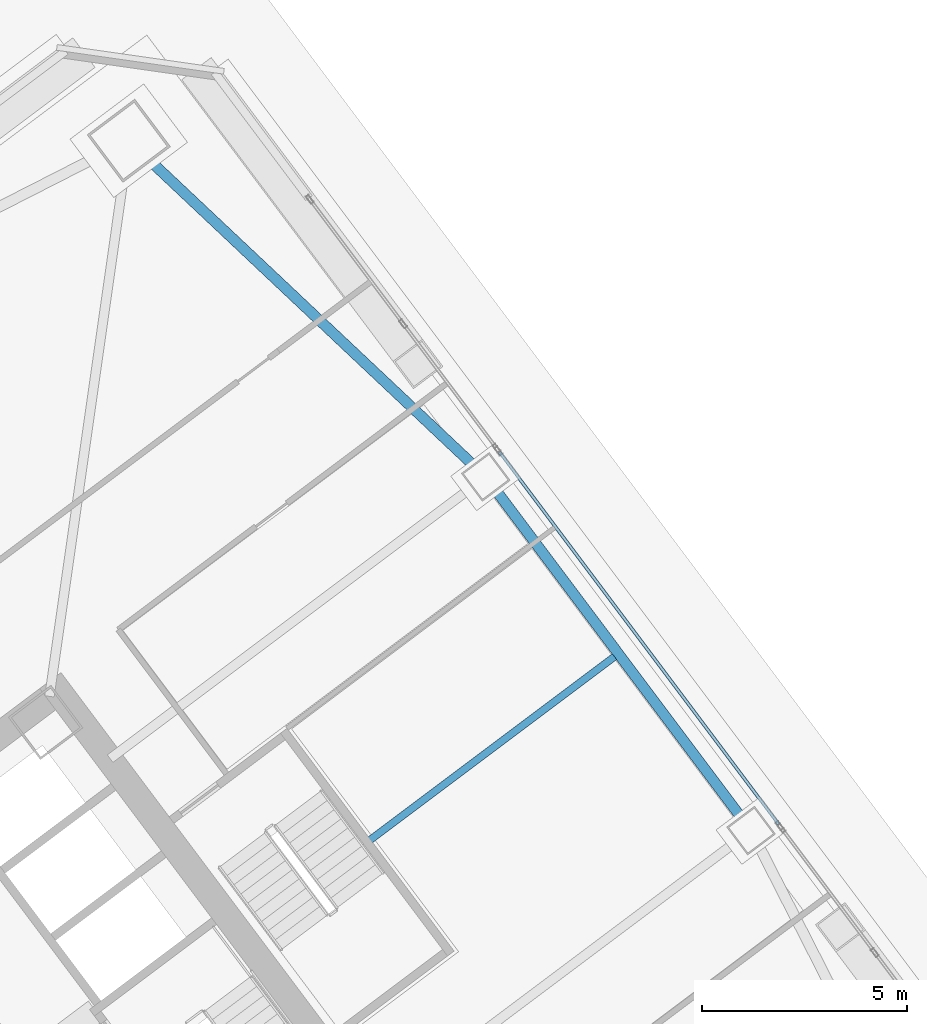
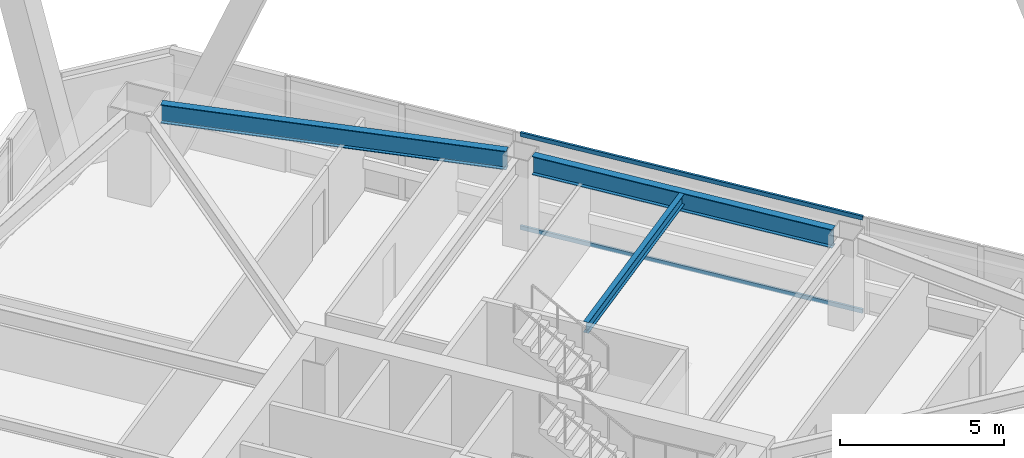
# One storey, part 52 of 67: 3 beams, 2 members, 1 element without a shape of its own.
"""IFC4 building model written with IfcOpenShell, lengths in metres."""

import ifcopenshell
import ifcopenshell.guid

model = None  # the IFC model being written
_history = None  # IfcOwnerHistory: only IFC2X3 demands one
_inside = {}  # id of a spatial element -> (the spatial element, [elements in it])
_under = {}  # id of a project, library or spatial element -> (it, [spatial elements below it])
_declared = {}  # id of a project -> (the project, [libraries it declares])
_typed = {}  # id of a type object -> (the type object, [elements of that type])
_made_of = {}  # id of a material, layer set ... -> (it, [elements and type objects made of it])


def new_model(schema):
    """Start an empty IFC model of exactly this schema.

    Asked for "IFC4X3", IfcOpenShell would pick the latest addendum, in which some entities
    have other attributes; the version numbers below select the first issue.
    IFC2X3 requires an IfcOwnerHistory on every rooted entity: one is made here for all.
    """
    global model, _history
    if schema == "IFC4X3":
        model = ifcopenshell.file(schema_version=(4, 3, 0, 0))
    else:
        model = ifcopenshell.file(schema=schema)
    _inside.clear()
    _under.clear()
    _declared.clear()
    _typed.clear()
    _made_of.clear()
    _history = None
    if model.schema == "IFC2X3":
        org = make("IfcOrganization", Name="unknown")
        user = make(
            "IfcPersonAndOrganization",
            ThePerson=make("IfcPerson", FamilyName="unknown"),
            TheOrganization=org,
        )
        app = make(
            "IfcApplication",
            ApplicationDeveloper=org,
            Version="unknown",
            ApplicationFullName="unknown",
            ApplicationIdentifier="unknown",
        )
        _history = make(
            "IfcOwnerHistory",
            OwningUser=user,
            OwningApplication=app,
            ChangeAction="ADDED",
            CreationDate=0,
        )
    return model


def make(cls, **values):
    """One entity of the class cls with the attributes given. An attribute that is None is left unset."""
    return model.create_entity(
        cls, **{name: value for name, value in values.items() if value is not None}
    )


def rooted(cls, **values):
    """An entity with a GlobalId (a new one), such as an element, a storey or a relation."""
    return make(cls, GlobalId=ifcopenshell.guid.new(), OwnerHistory=_history, **values)


def si_unit(unit_type, name, prefix=None):
    """IfcSIUnit, for example si_unit("LENGTHUNIT", "METRE", prefix="MILLI")."""
    return make("IfcSIUnit", UnitType=unit_type, Prefix=prefix, Name=name)


def assignment(units):
    """IfcUnitAssignment: the units of a project."""
    return None if units is None else make("IfcUnitAssignment", Units=units)


def point(xyz):
    """IfcCartesianPoint."""
    return None if xyz is None else make("IfcCartesianPoint", Coordinates=xyz)


def direction(xyz):
    """IfcDirection."""
    return None if xyz is None else make("IfcDirection", DirectionRatios=xyz)


def frame(location, z_axis=None, x_axis=None):
    """IfcAxis2Placement3D, a coordinate frame: its origin and axes. An axis left out is left unset."""
    return make(
        "IfcAxis2Placement3D",
        Location=point(location),
        Axis=direction(z_axis),
        RefDirection=direction(x_axis),
    )


def frame_2d(location, x_axis=None):
    """IfcAxis2Placement2D, a coordinate frame in the plane: its origin and x axis."""
    return make(
        "IfcAxis2Placement2D", Location=point(location), RefDirection=direction(x_axis)
    )


def origin():
    """The frame at (0, 0, 0) with its axes left unset."""
    return frame((0.0, 0.0, 0.0))


def origin_2d():
    """The frame at (0, 0) in the plane with its x axis left unset."""
    return frame_2d((0.0, 0.0))


def place(relative_to, where):
    """IfcLocalPlacement: puts the frame where relative to a parent placement (None: the world)."""
    return make(
        "IfcLocalPlacement", PlacementRelTo=relative_to, RelativePlacement=where
    )


def context(
    kind, dimensions, precision=None, world=None, true_north=None, identifier=None
):
    """IfcGeometricRepresentationContext, for example the 3D "Model" context."""
    return make(
        "IfcGeometricRepresentationContext",
        ContextIdentifier=identifier,
        ContextType=kind,
        CoordinateSpaceDimension=dimensions,
        Precision=precision,
        WorldCoordinateSystem=world,
        TrueNorth=true_north,
    )


def subcontext(parent, identifier, kind, view, scale=None):
    """IfcGeometricRepresentationSubContext, for example "Body" below "Model"."""
    return make(
        "IfcGeometricRepresentationSubContext",
        ContextIdentifier=identifier,
        ContextType=kind,
        ParentContext=parent,
        TargetScale=scale,
        TargetView=view,
    )


def project(units=None, contexts=None):
    """IfcProject with its units and contexts."""
    return rooted(
        "IfcProject",
        Name="project",
        RepresentationContexts=contexts,
        UnitsInContext=assignment(units),
    )


def spatial(cls, under=None, at=None, **own):
    """A site, building, storey or space (cls), placed at a placement, below another one or the project."""
    s = rooted(cls, ObjectPlacement=at, **own)
    if under is not None:
        _under.setdefault(under.id(), (under, []))[1].append(s)
    return s


def profile(cls, at=None, kind="AREA", **sizes):
    """A parametric profile (cls). Its sizes go by their IFC names, for example OverallWidth=200.0."""
    return make(cls, ProfileType=kind, Position=at, **sizes)


def hollow_rectangle(**sizes):
    """IfcRectangleHollowProfileDef."""
    return profile("IfcRectangleHollowProfileDef", **sizes)


def i_section(**sizes):
    """IfcIShapeProfileDef."""
    return profile("IfcIShapeProfileDef", **sizes)


def extrude(swept, where, along, depth):
    """IfcExtrudedAreaSolid: the profile swept, set in the frame where, extruded along a direction by depth."""
    return make(
        "IfcExtrudedAreaSolid",
        SweptArea=swept,
        Position=where,
        ExtrudedDirection=direction(along),
        Depth=depth,
    )


def shape(context_of_items, identifier, shape_type, items):
    """IfcShapeRepresentation: the items that make up one representation, for example the "Body"."""
    return make(
        "IfcShapeRepresentation",
        ContextOfItems=context_of_items,
        RepresentationIdentifier=identifier,
        RepresentationType=shape_type,
        Items=items,
    )


def material(Name=None, Category=None):
    """IfcMaterial."""
    return make("IfcMaterial", Name=Name, Category=Category)


def material_profile(
    of_material, cross_section, Name=None, Category=None, Priority=None
):
    """IfcMaterialProfile: a cross section and its material."""
    return make(
        "IfcMaterialProfile",
        Name=Name,
        Material=of_material,
        Profile=cross_section,
        Priority=Priority,
        Category=Category,
    )


def profile_set(profiles, Name=None, composite=None):
    """IfcMaterialProfileSet."""
    return make(
        "IfcMaterialProfileSet",
        Name=Name,
        MaterialProfiles=profiles,
        CompositeProfile=composite,
    )


def made_of(thing, what):
    """Note that an element or type object is made of a material, layer set ...; save() writes the relation."""
    if what is not None:
        _made_of.setdefault(what.id(), (what, []))[1].append(thing)
    return thing


def type_object(cls, material=None, **own):
    """A type object (cls), such as IfcWallType, which elements share."""
    return made_of(rooted(cls, **own), material)


def element(
    cls,
    number,
    at=None,
    inside=None,
    cuts=None,
    type_object=None,
    material=None,
    context=None,
    identifier="Body",
    shape_type=None,
    held_by="IfcProductDefinitionShape",
    body=None,
    shapes=None,
    **own,
):
    """One element of the class cls, such as IfcWall. Its Tag is "e" and its number.

    at: its placement. inside: the storey or other place that contains it. cuts: it is an
    opening in that element (IfcRelVoidsElement). A single representation is given by context,
    identifier, shape_type and body (its items); several are given by shapes. held_by: the class
    of the entity that holds the representations. save() writes the other relations.
    """
    e = rooted(cls, Tag="e%d" % number, ObjectPlacement=at, **own)
    if body is not None:
        shapes = [shape(context, identifier, shape_type, body)]
    if shapes is not None:
        e.Representation = make(held_by, Representations=shapes)
    if inside is not None:
        _inside.setdefault(inside.id(), (inside, []))[1].append(e)
    if cuts is not None:
        rooted(
            "IfcRelVoidsElement", RelatingBuildingElement=cuts, RelatedOpeningElement=e
        )
    if type_object is not None:
        _typed.setdefault(type_object.id(), (type_object, []))[1].append(e)
    return made_of(e, material)


def aggregate(whole, parts):
    """IfcRelAggregates: a whole, such as a stair, and the parts it consists of."""
    return rooted("IfcRelAggregates", RelatingObject=whole, RelatedObjects=parts)


def save(model, path):
    """Write the relations noted so far, then the file.

    IfcRelAggregates (storeys below a building ...), IfcRelContainedInSpatialStructure (elements
    in a storey), IfcRelDefinesByType, IfcRelAssociatesMaterial and IfcRelDeclares: one each for
    every whole, place, type object, material and project.
    """
    for whole, parts in _under.values():
        aggregate(whole, parts)
    for where, things in _inside.values():
        rooted(
            "IfcRelContainedInSpatialStructure",
            RelatedElements=things,
            RelatingStructure=where,
        )
    for kind, things in _typed.values():
        rooted("IfcRelDefinesByType", RelatedObjects=things, RelatingType=kind)
    for what, things in _made_of.values():
        rooted("IfcRelAssociatesMaterial", RelatedObjects=things, RelatingMaterial=what)
    for by, libraries in _declared.values():
        rooted("IfcRelDeclares", RelatingContext=by, RelatedDefinitions=libraries)
    model.write(path)


model = new_model("IFC4")

# Units and contexts
model_context = context("Model", 3, precision=1e-05, world=origin(), true_north=direction((0.0, 1.0)))
body_context = subcontext(model_context, "Body", "Model", "MODEL_VIEW")
ifc_project = project(units=[si_unit("LENGTHUNIT", "METRE"), si_unit("AREAUNIT", "SQUARE_METRE"), si_unit("VOLUMEUNIT", "CUBIC_METRE"), si_unit("PLANEANGLEUNIT", "RADIAN"), si_unit("MASSUNIT", "GRAM", prefix="KILO")], contexts=[model_context])

# Site, building, storey
site_placement = place(None, origin())
site = spatial("IfcSite", under=ifc_project, at=site_placement, CompositionType="ELEMENT")
building_placement = place(site_placement, origin())
building = spatial("IfcBuilding", under=site, at=building_placement, Name="Tashvorn Skyway Center", CompositionType="ELEMENT")
storey_placement = place(building_placement, frame((0.0, 0.0, 67.199951171875)))
storey = spatial("IfcBuildingStorey", under=building, at=storey_placement, Name="L17", CompositionType="ELEMENT", Elevation=67.199951171875)

# Beams
ifc_material_1 = material(Name="Steel ASTM A992 Grade 50", Category="steel")
ifc_material_profile_1 = material_profile(ifc_material_1, i_section(OverallWidth=0.177978515625, OverallDepth=0.406005859375, WebThickness=0.0078125, FlangeThickness=0.0126953125, at=origin_2d()), Name="W16X40")
ifc_profile_set_1 = profile_set([ifc_material_profile_1], Name="Steel ASTM A992 Grade 50")
beam_type_1 = type_object("IfcBeamType", Name="BM-JOIST-W16X40", PredefinedType="JOIST", material=ifc_profile_set_1)
beam_1_placement = place(storey_placement, frame((123.3359375, 39.001953125, 3.14697265625), z_axis=(0.799996072819, 0.600005236206, 0.0), x_axis=(-0.600005236206, 0.799996072819, 0.0)))
element("IfcBeam", 1, at=beam_1_placement, inside=storey, type_object=beam_type_1, Name="Tower 2 L17 Secondary Composite Joist JE", PredefinedType="JOIST", context=body_context, shape_type="SweptSolid", body=[
    extrude(i_section(OverallWidth=0.177978515625, OverallDepth=0.406005859375, WebThickness=0.0078125, FlangeThickness=0.0126953125, at=origin_2d()), origin(), (0.0, 0.0, 1.0), 7.4599609375),
])
ifc_material_profile_2 = material_profile(ifc_material_1, i_section(OverallWidth=0.256103515625, OverallDepth=0.693115234375, WebThickness=0.014404296875, FlangeThickness=0.023681640625, at=origin_2d()), Name="W27X114")
ifc_profile_set_2 = profile_set([ifc_material_profile_2], Name="Steel ASTM A992 Grade 50")
beam_type_2 = type_object("IfcBeamType", Name="BM-SPANDREL-W27X114", PredefinedType="SPANDREL", material=ifc_profile_set_2)
beam_2_placement = place(storey_placement, frame((132.387939453125, 39.56591796875, 3.003662109375), z_axis=(-0.599988234018, 0.800008824351, 0.0), x_axis=(-0.800008824351, -0.599988234018, 0.0)))
element("IfcBeam", 2, at=beam_2_placement, inside=storey, type_object=beam_type_2, Name="Tower 2 L17 Spandrel Beam 05", PredefinedType="SPANDREL", context=body_context, shape_type="SweptSolid", body=[
    extrude(i_section(OverallWidth=0.256103515625, OverallDepth=0.693115234375, WebThickness=0.014404296875, FlangeThickness=0.023681640625, at=origin_2d()), origin(), (0.0, 0.0, 1.0), 9.9599609375),
])
beam_3_placement = place(storey_placement, frame((125.854248046875, 48.157958984375, 3.003662109375), z_axis=(-0.728086883893, 0.685484857238, 0.0), x_axis=(-0.685484857238, -0.728086883893, 0.0)))
element("IfcBeam", 3, at=beam_3_placement, inside=storey, type_object=beam_type_2, Name="Tower 2 L17 Spandrel Beam 06", PredefinedType="SPANDREL", context=body_context, shape_type="SweptSolid", body=[
    extrude(i_section(OverallWidth=0.256103515625, OverallDepth=0.693115234375, WebThickness=0.014404296875, FlangeThickness=0.023681640625, at=origin_2d()), origin(), (0.0, 0.0, 1.0), 10.8369140625),
])

# Curtain wall, members
ifc_material_2 = material(Name="Thermally broken bronze-anodized aluminium 6063-T6", Category="aluminium")
curtain_wall_type = type_object("IfcCurtainWallType", Name="CW-CW-Z2", PredefinedType="NOTDEFINED", material=ifc_material_2)
curtain_wall_placement = place(storey_placement, origin())
curtain_wall = element("IfcCurtainWall", 4, at=curtain_wall_placement, inside=storey, type_object=curtain_wall_type, Name="Tower 2 L17 East Unitised Curtain Wall Glazing Group 2", PredefinedType="NOTDEFINED")
ifc_material_profile_3 = material_profile(ifc_material_2, hollow_rectangle(XDim=0.080078125, YDim=0.14990234375, WallThickness=0.00439453125, at=origin_2d()), Name="ALU-TRAN-80x150")
ifc_profile_set_3 = profile_set([ifc_material_profile_3], Name="Thermally broken bronze-anodized aluminium 6063-T6")
member_type = type_object("IfcMemberType", Name="CWT-CW-Z2", PredefinedType="USERDEFINED", material=ifc_profile_set_3)
member_1_placement = place(storey_placement, frame((126.49609375, 48.471923828125, 0.0400390625), z_axis=(0.6, -0.8, 0.0), x_axis=(0.8, 0.6, 0.0)))
member_1 = element("IfcMember", 5, at=member_1_placement, type_object=member_type, Name="CW-Z2 transom 1.1", ObjectType="TRANSOM", PredefinedType="USERDEFINED", context=body_context, shape_type="SweptSolid", body=[
    extrude(hollow_rectangle(XDim=0.080078125, YDim=0.14990234375, WallThickness=0.00439453125, at=origin_2d()), origin(), (0.0, 0.0, 1.0), 11.35986328125),
])
member_2_placement = place(storey_placement, frame((126.49609375, 48.471923828125, 3.510009765625), z_axis=(0.6, -0.8, 0.0), x_axis=(0.8, 0.6, 0.0)))
member_2 = element("IfcMember", 6, at=member_2_placement, type_object=member_type, Name="CW-Z2 transom 1.2", ObjectType="TRANSOM", PredefinedType="USERDEFINED", context=body_context, shape_type="SweptSolid", body=[
    extrude(hollow_rectangle(XDim=0.080078125, YDim=0.14990234375, WallThickness=0.00439453125, at=origin_2d()), origin(), (0.0, 0.0, 1.0), 11.35986328125),
])
aggregate(curtain_wall, [member_1, member_2])

save(model, "model.ifc")
